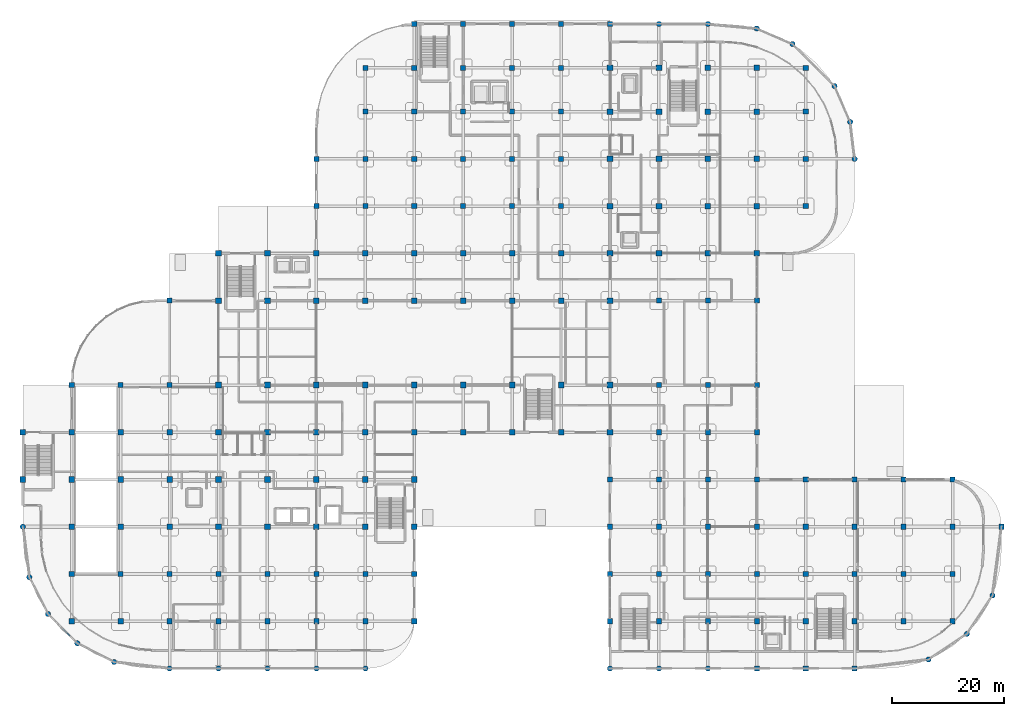
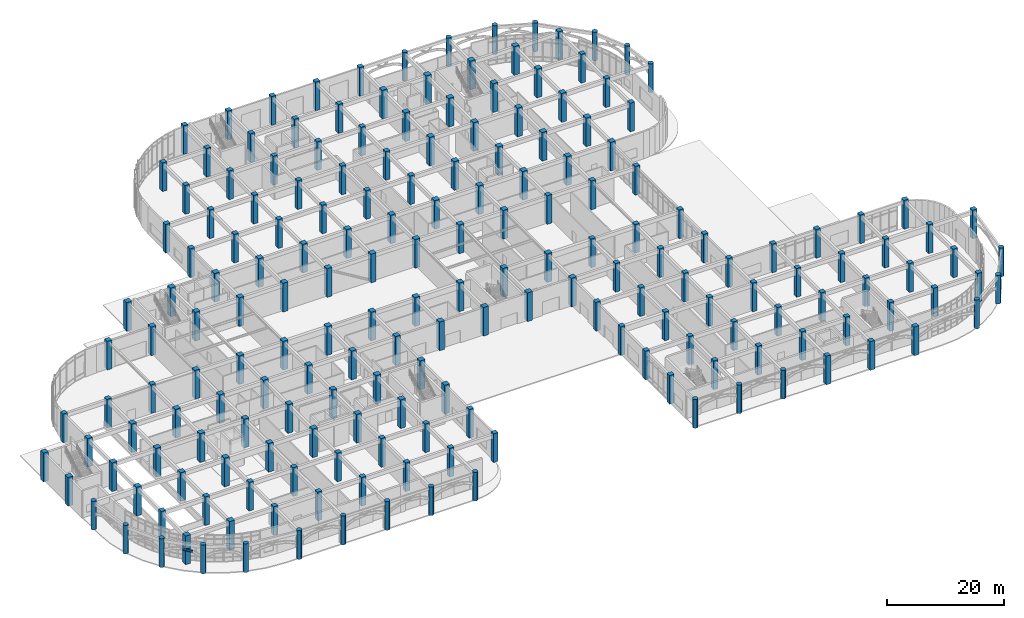
# One storey, part 1 of 82: 195 columns, 1 beam.
"""IFC4 building model written with IfcOpenShell, lengths in metres."""

from ifc_helpers import new_model, si_unit, derived_unit, direction, frame, origin, origin_2d, place, context, subcontext, project, spatial, rectangle, circle, i_section, extrude, material, material_profile, profile_set, type_object, element, save


model = new_model("IFC4")

# Units and contexts
model_context = context("Model", 3, precision=1e-05, world=origin(), true_north=direction((0.0, 1.0)))
body_context = subcontext(model_context, "Body", "Model", "MODEL_VIEW")
ifc_project = project(units=[si_unit("LENGTHUNIT", "METRE"), si_unit("AREAUNIT", "SQUARE_METRE"), si_unit("VOLUMEUNIT", "CUBIC_METRE"), si_unit("PLANEANGLEUNIT", "RADIAN"), si_unit("MASSUNIT", "GRAM", prefix="KILO"), derived_unit("THERMALTRANSMITTANCEUNIT", [(si_unit("MASSUNIT", "GRAM", prefix="KILO"), 1), (si_unit("TIMEUNIT", "SECOND"), -3), (si_unit("THERMODYNAMICTEMPERATUREUNIT", "KELVIN"), -1)])], contexts=[model_context])

# Site, building, storey
site_placement = place(None, origin())
site = spatial("IfcSite", under=ifc_project, at=site_placement, CompositionType="ELEMENT")
building_placement = place(site_placement, origin())
building = spatial("IfcBuilding", under=site, at=building_placement, Name="Qinzheling Arcade Emporium", CompositionType="ELEMENT")
storey_placement = place(building_placement, origin())
storey = spatial("IfcBuildingStorey", under=building, at=storey_placement, Name="L01", CompositionType="ELEMENT", Elevation=0.0)

# Columns
ifc_material_1 = material(Name="Concrete C50", Category="concrete")
ifc_material_profile_1 = material_profile(ifc_material_1, circle(Radius=0.47509765625, at=origin_2d()), Name="RC D950", Category="concrete")
ifc_profile_set_1 = profile_set([ifc_material_profile_1], Name="Concrete C50")
column_type_1 = type_object("IfcColumnType", Name="Arcade Pier Column D950 C50", PredefinedType="PILASTER", material=ifc_profile_set_1)
for number, where, z_axis, x_axis, name in (
    (1, (0.0, 25.199951171875, 0.0), (0.0, 0.0, 1.0), (1.0, 0.0, 0.0), "Column COL-L01-1-D"),
    (2, (26.10009765625, 0.0, 0.0), (0.0, 0.0, 1.0), (1.0, 0.0, 0.0), "Column COL-L01-4-A"),
    (3, (34.800048828125, 0.0, 0.0), (0.0, 0.0, 1.0), (1.0, 0.0, 0.0), "Column COL-L01-5-A"),
    (4, (43.5, 0.0, 0.0), (0.0, 0.0, 1.0), (1.0, 0.0, 0.0), "Column COL-L01-6-A"),
    (5, (52.199951171875, 0.0, 0.0), (0.0, 0.0, 1.0), (1.0, 0.0, 0.0), "Column COL-L01-7-A"),
    (6, (60.89990234375, 0.0, 0.0), (0.0, 0.0, 1.0), (1.0, 0.0, 0.0), "Column COL-L01-8-A"),
    (7, (104.39990234375, 0.0, 0.0), (0.0, 0.0, 1.0), (1.0, 0.0, 0.0), "Column COL-L01-13-A"),
    (8, (113.10009765625, 0.0, 0.0), (0.0, 0.0, 1.0), (1.0, 0.0, 0.0), "Column COL-L01-14-A"),
    (9, (113.10009765625, 114.60009765625, 0.0), (0.0, 0.0, 1.0), (1.0, 0.0, 0.0), "Column COL-L01-14-P"),
    (10, (121.800048828125, 0.0, 0.0), (0.0, 0.0, 1.0), (1.0, 0.0, 0.0), "Column COL-L01-15-A"),
    (11, (121.800048828125, 114.60009765625, 0.0), (0.0, 0.0, 1.0), (1.0, 0.0, 0.0), "Column COL-L01-15-P"),
    (12, (147.89990234375, 90.60009765625, 0.0), (0.0, 0.0, 1.0), (1.0, 0.0, 0.0), "Column COL-L01-18-L"),
    (13, (1.14990234375, 16.238037109375, 0.0), (0.0, 0.0, 1.0), (1.0, 0.0, 0.0), "Curved Arcade Pier COL-L01-CV1-P01"),
    (14, (4.488037109375, 9.68701171875, 0.0), (0.0, 0.0, 1.0), (1.0, 0.0, 0.0), "Curved Arcade Pier COL-L01-CV1-P02"),
    (15, (9.68701171875, 4.488037109375, 0.0), (0.0, 0.0, 1.0), (1.0, 0.0, 0.0), "Curved Arcade Pier COL-L01-CV1-P03"),
    (16, (16.238037109375, 1.14990234375, 0.0), (0.0, 0.0, 1.0), (1.0, 0.0, 0.0), "Curved Arcade Pier COL-L01-CV1-P04"),
    (17, (161.035888671875, 1.59912109375, 0.0), (0.0, 0.0, 1.0), (1.0, 0.0, 0.0), "Curved Arcade Pier COL-L01-CV4-P01"),
    (18, (167.84912109375, 6.15087890625, 0.0), (0.0, 0.0, 1.0), (1.0, 0.0, 0.0), "Curved Arcade Pier COL-L01-CV4-P02"),
    (19, (172.40087890625, 12.964111328125, 0.0), (0.0, 0.0, 1.0), (1.0, 0.0, 0.0), "Curved Arcade Pier COL-L01-CV4-P03"),
    (20, (147.09912109375, 97.181884765625, 0.0), (0.0, 0.0, 1.0), (1.0, 0.0, 0.0), "Curved Arcade Pier COL-L01-CV6-P01"),
    (21, (144.3291015625, 103.552978515625, 0.0), (0.0, 0.0, 1.0), (1.0, 0.0, 0.0), "Curved Arcade Pier COL-L01-CV6-P02"),
    (22, (136.85302734375, 111.029052734375, 0.0), (0.0, 0.0, 1.0), (1.0, 0.0, 0.0), "Curved Arcade Pier COL-L01-CV6-P03"),
    (23, (130.48193359375, 113.799072265625, 0.0), (0.0, 0.0, 1.0), (1.0, 0.0, 0.0), "Curved Arcade Pier COL-L01-CV6-P04"),
):
    element("IfcColumn", number, at=place(storey_placement, frame(where, z_axis=z_axis, x_axis=x_axis)), inside=storey, type_object=column_type_1, Name=name, PredefinedType="PILASTER", context=body_context, shape_type="SweptSolid", body=[
        extrude(circle(Radius=0.47509765625, at=origin_2d()), origin(), (0.0, 0.0, 1.0), 6.0),
    ])
ifc_material_profile_2 = material_profile(ifc_material_1, rectangle(XDim=1.0, YDim=1.0, at=origin_2d()), Name="RC 1000x1000", Category="concrete")
ifc_profile_set_2 = profile_set([ifc_material_profile_2], Name="Concrete C50")
column_type_2 = type_object("IfcColumnType", Name="RC Column 1000x1000 C50", PredefinedType="COLUMN", material=ifc_profile_set_2)
for number, where, z_axis, x_axis, name in (
    (24, (0.0, 33.60009765625, 0.0), (0.0, 0.0, 1.0), (1.0, 0.0, 0.0), "Column COL-L01-1-E"),
    (25, (0.0, 42.0, 0.0), (0.0, 0.0, 1.0), (1.0, 0.0, 0.0), "Column COL-L01-1-F"),
    (26, (8.699951171875, 8.39990234375, 0.0), (0.0, 0.0, 1.0), (1.0, 0.0, 0.0), "Column COL-L01-2-B"),
    (27, (8.699951171875, 25.199951171875, 0.0), (0.0, 0.0, 1.0), (1.0, 0.0, 0.0), "Column COL-L01-2-D"),
    (28, (8.699951171875, 33.60009765625, 0.0), (0.0, 0.0, 1.0), (1.0, 0.0, 0.0), "Column COL-L01-2-E"),
    (29, (8.699951171875, 42.0, 0.0), (0.0, 0.0, 1.0), (1.0, 0.0, 0.0), "Column COL-L01-2-F"),
    (30, (17.39990234375, 8.39990234375, 0.0), (0.0, 0.0, 1.0), (1.0, 0.0, 0.0), "Column COL-L01-3-B"),
    (31, (17.39990234375, 25.199951171875, 0.0), (0.0, 0.0, 1.0), (1.0, 0.0, 0.0), "Column COL-L01-3-D"),
    (32, (17.39990234375, 33.60009765625, 0.0), (0.0, 0.0, 1.0), (1.0, 0.0, 0.0), "Column COL-L01-3-E"),
    (33, (17.39990234375, 42.0, 0.0), (0.0, 0.0, 1.0), (1.0, 0.0, 0.0), "Column COL-L01-3-F"),
    (34, (26.10009765625, 25.199951171875, 0.0), (0.0, 0.0, 1.0), (1.0, 0.0, 0.0), "Column COL-L01-4-D"),
    (35, (26.10009765625, 33.60009765625, 0.0), (0.0, 0.0, 1.0), (1.0, 0.0, 0.0), "Column COL-L01-4-E"),
    (36, (26.10009765625, 42.0, 0.0), (0.0, 0.0, 1.0), (1.0, 0.0, 0.0), "Column COL-L01-4-F"),
    (37, (34.800048828125, 25.199951171875, 0.0), (0.0, 0.0, 1.0), (1.0, 0.0, 0.0), "Column COL-L01-5-D"),
    (38, (34.800048828125, 33.60009765625, 0.0), (0.0, 0.0, 1.0), (1.0, 0.0, 0.0), "Column COL-L01-5-E"),
    (39, (34.800048828125, 42.0, 0.0), (0.0, 0.0, 1.0), (1.0, 0.0, 0.0), "Column COL-L01-5-F"),
    (40, (34.800048828125, 50.39990234375, 0.0), (0.0, 0.0, 1.0), (1.0, 0.0, 0.0), "Column COL-L01-5-G"),
    (41, (34.800048828125, 65.39990234375, 0.0), (0.0, 0.0, 1.0), (1.0, 0.0, 0.0), "Column COL-L01-5-H"),
    (42, (34.800048828125, 73.800048828125, 0.0), (0.0, 0.0, 1.0), (1.0, 0.0, 0.0), "Column COL-L01-5-J"),
    (43, (43.5, 25.199951171875, 0.0), (0.0, 0.0, 1.0), (1.0, 0.0, 0.0), "Column COL-L01-6-D"),
    (44, (43.5, 33.60009765625, 0.0), (0.0, 0.0, 1.0), (1.0, 0.0, 0.0), "Column COL-L01-6-E"),
    (45, (43.5, 42.0, 0.0), (0.0, 0.0, 1.0), (1.0, 0.0, 0.0), "Column COL-L01-6-F"),
    (46, (43.5, 50.39990234375, 0.0), (0.0, 0.0, 1.0), (1.0, 0.0, 0.0), "Column COL-L01-6-G"),
    (47, (43.5, 65.39990234375, 0.0), (0.0, 0.0, 1.0), (1.0, 0.0, 0.0), "Column COL-L01-6-H"),
    (48, (43.5, 73.800048828125, 0.0), (0.0, 0.0, 1.0), (1.0, 0.0, 0.0), "Column COL-L01-6-J"),
    (49, (52.199951171875, 25.199951171875, 0.0), (0.0, 0.0, 1.0), (1.0, 0.0, 0.0), "Column COL-L01-7-D"),
    (50, (52.199951171875, 33.60009765625, 0.0), (0.0, 0.0, 1.0), (1.0, 0.0, 0.0), "Column COL-L01-7-E"),
    (51, (52.199951171875, 42.0, 0.0), (0.0, 0.0, 1.0), (1.0, 0.0, 0.0), "Column COL-L01-7-F"),
    (52, (52.199951171875, 50.39990234375, 0.0), (0.0, 0.0, 1.0), (1.0, 0.0, 0.0), "Column COL-L01-7-G"),
    (53, (52.199951171875, 65.39990234375, 0.0), (0.0, 0.0, 1.0), (1.0, 0.0, 0.0), "Column COL-L01-7-H"),
    (54, (52.199951171875, 73.800048828125, 0.0), (0.0, 0.0, 1.0), (1.0, 0.0, 0.0), "Column COL-L01-7-J"),
    (55, (60.89990234375, 25.199951171875, 0.0), (0.0, 0.0, 1.0), (1.0, 0.0, 0.0), "Column COL-L01-8-D"),
    (56, (60.89990234375, 33.60009765625, 0.0), (0.0, 0.0, 1.0), (1.0, 0.0, 0.0), "Column COL-L01-8-E"),
    (57, (60.89990234375, 42.0, 0.0), (0.0, 0.0, 1.0), (1.0, 0.0, 0.0), "Column COL-L01-8-F"),
    (58, (60.89990234375, 50.39990234375, 0.0), (0.0, 0.0, 1.0), (1.0, 0.0, 0.0), "Column COL-L01-8-G"),
    (59, (60.89990234375, 65.39990234375, 0.0), (0.0, 0.0, 1.0), (1.0, 0.0, 0.0), "Column COL-L01-8-H"),
    (60, (60.89990234375, 73.800048828125, 0.0), (0.0, 0.0, 1.0), (1.0, 0.0, 0.0), "Column COL-L01-8-J"),
    (61, (69.60009765625, 25.199951171875, 0.0), (0.0, 0.0, 1.0), (1.0, 0.0, 0.0), "Column COL-L01-9-D"),
    (62, (69.60009765625, 33.60009765625, 0.0), (0.0, 0.0, 1.0), (1.0, 0.0, 0.0), "Column COL-L01-9-E"),
    (63, (69.60009765625, 42.0, 0.0), (0.0, 0.0, 1.0), (1.0, 0.0, 0.0), "Column COL-L01-9-F"),
    (64, (69.60009765625, 50.39990234375, 0.0), (0.0, 0.0, 1.0), (1.0, 0.0, 0.0), "Column COL-L01-9-G"),
    (65, (69.60009765625, 65.39990234375, 0.0), (0.0, 0.0, 1.0), (1.0, 0.0, 0.0), "Column COL-L01-9-H"),
    (66, (69.60009765625, 73.800048828125, 0.0), (0.0, 0.0, 1.0), (1.0, 0.0, 0.0), "Column COL-L01-9-J"),
    (67, (78.300048828125, 42.0, 0.0), (0.0, 0.0, 1.0), (1.0, 0.0, 0.0), "Column COL-L01-10-F"),
    (68, (78.300048828125, 50.39990234375, 0.0), (0.0, 0.0, 1.0), (1.0, 0.0, 0.0), "Column COL-L01-10-G"),
    (69, (78.300048828125, 65.39990234375, 0.0), (0.0, 0.0, 1.0), (1.0, 0.0, 0.0), "Column COL-L01-10-H"),
    (70, (78.300048828125, 73.800048828125, 0.0), (0.0, 0.0, 1.0), (1.0, 0.0, 0.0), "Column COL-L01-10-J"),
    (71, (87.0, 42.0, 0.0), (0.0, 0.0, 1.0), (1.0, 0.0, 0.0), "Column COL-L01-11-F"),
    (72, (87.0, 50.39990234375, 0.0), (0.0, 0.0, 1.0), (1.0, 0.0, 0.0), "Column COL-L01-11-G"),
    (73, (87.0, 65.39990234375, 0.0), (0.0, 0.0, 1.0), (1.0, 0.0, 0.0), "Column COL-L01-11-H"),
    (74, (87.0, 73.800048828125, 0.0), (0.0, 0.0, 1.0), (1.0, 0.0, 0.0), "Column COL-L01-11-J"),
    (75, (95.699951171875, 42.0, 0.0), (0.0, 0.0, 1.0), (1.0, 0.0, 0.0), "Column COL-L01-12-F"),
    (76, (95.699951171875, 50.39990234375, 0.0), (0.0, 0.0, 1.0), (1.0, 0.0, 0.0), "Column COL-L01-12-G"),
    (77, (95.699951171875, 65.39990234375, 0.0), (0.0, 0.0, 1.0), (1.0, 0.0, 0.0), "Column COL-L01-12-H"),
    (78, (95.699951171875, 73.800048828125, 0.0), (0.0, 0.0, 1.0), (1.0, 0.0, 0.0), "Column COL-L01-12-J"),
    (79, (104.39990234375, 42.0, 0.0), (0.0, 0.0, 1.0), (1.0, 0.0, 0.0), "Column COL-L01-13-F"),
    (80, (104.39990234375, 50.39990234375, 0.0), (0.0, 0.0, 1.0), (1.0, 0.0, 0.0), "Column COL-L01-13-G"),
    (81, (104.39990234375, 65.39990234375, 0.0), (0.0, 0.0, 1.0), (1.0, 0.0, 0.0), "Column COL-L01-13-H"),
    (82, (104.39990234375, 73.800048828125, 0.0), (0.0, 0.0, 1.0), (1.0, 0.0, 0.0), "Column COL-L01-13-J"),
    (83, (104.39990234375, 82.199951171875, 0.0), (0.0, 0.0, 1.0), (1.0, 0.0, 0.0), "Column COL-L01-13-K"),
    (84, (104.39990234375, 90.60009765625, 0.0), (0.0, 0.0, 1.0), (1.0, 0.0, 0.0), "Column COL-L01-13-L"),
    (85, (104.39990234375, 99.0, 0.0), (0.0, 0.0, 1.0), (1.0, 0.0, 0.0), "Column COL-L01-13-M"),
    (86, (104.39990234375, 106.800048828125, 0.0), (0.0, 0.0, 1.0), (1.0, 0.0, 0.0), "Column COL-L01-13-N"),
    (87, (113.10009765625, 73.800048828125, 0.0), (0.0, 0.0, 1.0), (1.0, 0.0, 0.0), "Column COL-L01-14-J"),
    (88, (113.10009765625, 82.199951171875, 0.0), (0.0, 0.0, 1.0), (1.0, 0.0, 0.0), "Column COL-L01-14-K"),
    (89, (113.10009765625, 90.60009765625, 0.0), (0.0, 0.0, 1.0), (1.0, 0.0, 0.0), "Column COL-L01-14-L"),
    (90, (113.10009765625, 99.0, 0.0), (0.0, 0.0, 1.0), (1.0, 0.0, 0.0), "Column COL-L01-14-M"),
    (91, (113.10009765625, 106.800048828125, 0.0), (0.0, 0.0, 1.0), (1.0, 0.0, 0.0), "Column COL-L01-14-N"),
    (92, (121.800048828125, 73.800048828125, 0.0), (0.0, 0.0, 1.0), (1.0, 0.0, 0.0), "Column COL-L01-15-J"),
    (93, (121.800048828125, 82.199951171875, 0.0), (0.0, 0.0, 1.0), (1.0, 0.0, 0.0), "Column COL-L01-15-K"),
    (94, (121.800048828125, 90.60009765625, 0.0), (0.0, 0.0, 1.0), (1.0, 0.0, 0.0), "Column COL-L01-15-L"),
    (95, (121.800048828125, 99.0, 0.0), (0.0, 0.0, 1.0), (1.0, 0.0, 0.0), "Column COL-L01-15-M"),
    (96, (121.800048828125, 106.800048828125, 0.0), (0.0, 0.0, 1.0), (1.0, 0.0, 0.0), "Column COL-L01-15-N"),
    (97, (130.5, 73.800048828125, 0.0), (0.0, 0.0, 1.0), (1.0, 0.0, 0.0), "Column COL-L01-16-J"),
    (98, (130.5, 82.199951171875, 0.0), (0.0, 0.0, 1.0), (1.0, 0.0, 0.0), "Column COL-L01-16-K"),
    (99, (130.5, 90.60009765625, 0.0), (0.0, 0.0, 1.0), (1.0, 0.0, 0.0), "Column COL-L01-16-L"),
    (100, (130.5, 99.0, 0.0), (0.0, 0.0, 1.0), (1.0, 0.0, 0.0), "Column COL-L01-16-M"),
    (101, (130.5, 106.800048828125, 0.0), (0.0, 0.0, 1.0), (1.0, 0.0, 0.0), "Column COL-L01-16-N"),
):
    element("IfcColumn", number, at=place(storey_placement, frame(where, z_axis=z_axis, x_axis=x_axis)), inside=storey, type_object=column_type_2, Name=name, PredefinedType="COLUMN", context=body_context, shape_type="SweptSolid", body=[
        extrude(rectangle(XDim=1.0, YDim=1.0, at=origin_2d()), origin(), (0.0, 0.0, 1.0), 6.0),
    ])
ifc_material_profile_3 = material_profile(ifc_material_1, rectangle(XDim=0.89990234375, YDim=0.89990234375, at=origin_2d()), Name="RC 900x900", Category="concrete")
ifc_profile_set_3 = profile_set([ifc_material_profile_3], Name="Concrete C50")
column_type_3 = type_object("IfcColumnType", Name="RC Column 900x900 C50", PredefinedType="COLUMN", material=ifc_profile_set_3)
for number, where, z_axis, x_axis, name in (
    (102, (8.699951171875, 16.800048828125, 0.0), (0.0, 0.0, 1.0), (1.0, 0.0, 0.0), "Column COL-L01-2-C"),
    (103, (8.699951171875, 50.39990234375, 0.0), (0.0, 0.0, 1.0), (1.0, 0.0, 0.0), "Column COL-L01-2-G"),
    (104, (17.39990234375, 16.800048828125, 0.0), (0.0, 0.0, 1.0), (1.0, 0.0, 0.0), "Column COL-L01-3-C"),
    (105, (17.39990234375, 50.39990234375, 0.0), (0.0, 0.0, 1.0), (1.0, 0.0, 0.0), "Column COL-L01-3-G"),
    (106, (26.10009765625, 8.39990234375, 0.0), (0.0, 0.0, 1.0), (1.0, 0.0, 0.0), "Column COL-L01-4-B"),
    (107, (26.10009765625, 16.800048828125, 0.0), (0.0, 0.0, 1.0), (1.0, 0.0, 0.0), "Column COL-L01-4-C"),
    (108, (26.10009765625, 50.39990234375, 0.0), (0.0, 0.0, 1.0), (1.0, 0.0, 0.0), "Column COL-L01-4-G"),
    (109, (26.10009765625, 65.39990234375, 0.0), (0.0, 0.0, 1.0), (1.0, 0.0, 0.0), "Column COL-L01-4-H"),
    (110, (34.800048828125, 8.39990234375, 0.0), (0.0, 0.0, 1.0), (1.0, 0.0, 0.0), "Column COL-L01-5-B"),
    (111, (34.800048828125, 16.800048828125, 0.0), (0.0, 0.0, 1.0), (1.0, 0.0, 0.0), "Column COL-L01-5-C"),
    (112, (43.5, 8.39990234375, 0.0), (0.0, 0.0, 1.0), (1.0, 0.0, 0.0), "Column COL-L01-6-B"),
    (113, (43.5, 16.800048828125, 0.0), (0.0, 0.0, 1.0), (1.0, 0.0, 0.0), "Column COL-L01-6-C"),
    (114, (52.199951171875, 8.39990234375, 0.0), (0.0, 0.0, 1.0), (1.0, 0.0, 0.0), "Column COL-L01-7-B"),
    (115, (52.199951171875, 16.800048828125, 0.0), (0.0, 0.0, 1.0), (1.0, 0.0, 0.0), "Column COL-L01-7-C"),
    (116, (52.199951171875, 82.199951171875, 0.0), (0.0, 0.0, 1.0), (1.0, 0.0, 0.0), "Column COL-L01-7-K"),
    (117, (52.199951171875, 90.60009765625, 0.0), (0.0, 0.0, 1.0), (1.0, 0.0, 0.0), "Column COL-L01-7-L"),
    (118, (60.89990234375, 8.39990234375, 0.0), (0.0, 0.0, 1.0), (1.0, 0.0, 0.0), "Column COL-L01-8-B"),
    (119, (60.89990234375, 16.800048828125, 0.0), (0.0, 0.0, 1.0), (1.0, 0.0, 0.0), "Column COL-L01-8-C"),
    (120, (60.89990234375, 82.199951171875, 0.0), (0.0, 0.0, 1.0), (1.0, 0.0, 0.0), "Column COL-L01-8-K"),
    (121, (60.89990234375, 90.60009765625, 0.0), (0.0, 0.0, 1.0), (1.0, 0.0, 0.0), "Column COL-L01-8-L"),
    (122, (60.89990234375, 99.0, 0.0), (0.0, 0.0, 1.0), (1.0, 0.0, 0.0), "Column COL-L01-8-M"),
    (123, (60.89990234375, 106.800048828125, 0.0), (0.0, 0.0, 1.0), (1.0, 0.0, 0.0), "Column COL-L01-8-N"),
    (124, (69.60009765625, 8.39990234375, 0.0), (0.0, 0.0, 1.0), (1.0, 0.0, 0.0), "Column COL-L01-9-B"),
    (125, (69.60009765625, 16.800048828125, 0.0), (0.0, 0.0, 1.0), (1.0, 0.0, 0.0), "Column COL-L01-9-C"),
    (126, (69.60009765625, 82.199951171875, 0.0), (0.0, 0.0, 1.0), (1.0, 0.0, 0.0), "Column COL-L01-9-K"),
    (127, (69.60009765625, 90.60009765625, 0.0), (0.0, 0.0, 1.0), (1.0, 0.0, 0.0), "Column COL-L01-9-L"),
    (128, (69.60009765625, 99.0, 0.0), (0.0, 0.0, 1.0), (1.0, 0.0, 0.0), "Column COL-L01-9-M"),
    (129, (69.60009765625, 106.800048828125, 0.0), (0.0, 0.0, 1.0), (1.0, 0.0, 0.0), "Column COL-L01-9-N"),
    (130, (69.60009765625, 114.60009765625, 0.0), (0.0, 0.0, 1.0), (1.0, 0.0, 0.0), "Column COL-L01-9-P"),
    (131, (78.300048828125, 82.199951171875, 0.0), (0.0, 0.0, 1.0), (1.0, 0.0, 0.0), "Column COL-L01-10-K"),
    (132, (78.300048828125, 90.60009765625, 0.0), (0.0, 0.0, 1.0), (1.0, 0.0, 0.0), "Column COL-L01-10-L"),
    (133, (78.300048828125, 99.0, 0.0), (0.0, 0.0, 1.0), (1.0, 0.0, 0.0), "Column COL-L01-10-M"),
    (134, (78.300048828125, 106.800048828125, 0.0), (0.0, 0.0, 1.0), (1.0, 0.0, 0.0), "Column COL-L01-10-N"),
    (135, (78.300048828125, 114.60009765625, 0.0), (0.0, 0.0, 1.0), (1.0, 0.0, 0.0), "Column COL-L01-10-P"),
    (136, (87.0, 82.199951171875, 0.0), (0.0, 0.0, 1.0), (1.0, 0.0, 0.0), "Column COL-L01-11-K"),
    (137, (87.0, 90.60009765625, 0.0), (0.0, 0.0, 1.0), (1.0, 0.0, 0.0), "Column COL-L01-11-L"),
    (138, (87.0, 99.0, 0.0), (0.0, 0.0, 1.0), (1.0, 0.0, 0.0), "Column COL-L01-11-M"),
    (139, (87.0, 106.800048828125, 0.0), (0.0, 0.0, 1.0), (1.0, 0.0, 0.0), "Column COL-L01-11-N"),
    (140, (87.0, 114.60009765625, 0.0), (0.0, 0.0, 1.0), (1.0, 0.0, 0.0), "Column COL-L01-11-P"),
    (141, (95.699951171875, 82.199951171875, 0.0), (0.0, 0.0, 1.0), (1.0, 0.0, 0.0), "Column COL-L01-12-K"),
    (142, (95.699951171875, 90.60009765625, 0.0), (0.0, 0.0, 1.0), (1.0, 0.0, 0.0), "Column COL-L01-12-L"),
    (143, (95.699951171875, 99.0, 0.0), (0.0, 0.0, 1.0), (1.0, 0.0, 0.0), "Column COL-L01-12-M"),
    (144, (95.699951171875, 106.800048828125, 0.0), (0.0, 0.0, 1.0), (1.0, 0.0, 0.0), "Column COL-L01-12-N"),
    (145, (95.699951171875, 114.60009765625, 0.0), (0.0, 0.0, 1.0), (1.0, 0.0, 0.0), "Column COL-L01-12-P"),
    (146, (104.39990234375, 8.39990234375, 0.0), (0.0, 0.0, 1.0), (1.0, 0.0, 0.0), "Column COL-L01-13-B"),
    (147, (104.39990234375, 16.800048828125, 0.0), (0.0, 0.0, 1.0), (1.0, 0.0, 0.0), "Column COL-L01-13-C"),
    (148, (104.39990234375, 25.199951171875, 0.0), (0.0, 0.0, 1.0), (1.0, 0.0, 0.0), "Column COL-L01-13-D"),
    (149, (104.39990234375, 33.60009765625, 0.0), (0.0, 0.0, 1.0), (1.0, 0.0, 0.0), "Column COL-L01-13-E"),
    (150, (104.39990234375, 114.60009765625, 0.0), (0.0, 0.0, 1.0), (1.0, 0.0, 0.0), "Column COL-L01-13-P"),
    (151, (113.10009765625, 8.39990234375, 0.0), (0.0, 0.0, 1.0), (1.0, 0.0, 0.0), "Column COL-L01-14-B"),
    (152, (113.10009765625, 16.800048828125, 0.0), (0.0, 0.0, 1.0), (1.0, 0.0, 0.0), "Column COL-L01-14-C"),
    (153, (113.10009765625, 25.199951171875, 0.0), (0.0, 0.0, 1.0), (1.0, 0.0, 0.0), "Column COL-L01-14-D"),
    (154, (113.10009765625, 33.60009765625, 0.0), (0.0, 0.0, 1.0), (1.0, 0.0, 0.0), "Column COL-L01-14-E"),
    (155, (113.10009765625, 42.0, 0.0), (0.0, 0.0, 1.0), (1.0, 0.0, 0.0), "Column COL-L01-14-F"),
    (156, (113.10009765625, 50.39990234375, 0.0), (0.0, 0.0, 1.0), (1.0, 0.0, 0.0), "Column COL-L01-14-G"),
    (157, (113.10009765625, 65.39990234375, 0.0), (0.0, 0.0, 1.0), (1.0, 0.0, 0.0), "Column COL-L01-14-H"),
    (158, (121.800048828125, 8.39990234375, 0.0), (0.0, 0.0, 1.0), (1.0, 0.0, 0.0), "Column COL-L01-15-B"),
    (159, (121.800048828125, 16.800048828125, 0.0), (0.0, 0.0, 1.0), (1.0, 0.0, 0.0), "Column COL-L01-15-C"),
    (160, (121.800048828125, 25.199951171875, 0.0), (0.0, 0.0, 1.0), (1.0, 0.0, 0.0), "Column COL-L01-15-D"),
    (161, (121.800048828125, 33.60009765625, 0.0), (0.0, 0.0, 1.0), (1.0, 0.0, 0.0), "Column COL-L01-15-E"),
    (162, (121.800048828125, 42.0, 0.0), (0.0, 0.0, 1.0), (1.0, 0.0, 0.0), "Column COL-L01-15-F"),
    (163, (121.800048828125, 50.39990234375, 0.0), (0.0, 0.0, 1.0), (1.0, 0.0, 0.0), "Column COL-L01-15-G"),
    (164, (121.800048828125, 65.39990234375, 0.0), (0.0, 0.0, 1.0), (1.0, 0.0, 0.0), "Column COL-L01-15-H"),
    (165, (130.5, 0.0, 0.0), (0.0, 0.0, 1.0), (1.0, 0.0, 0.0), "Column COL-L01-16-A"),
    (166, (130.5, 8.39990234375, 0.0), (0.0, 0.0, 1.0), (1.0, 0.0, 0.0), "Column COL-L01-16-B"),
    (167, (130.5, 16.800048828125, 0.0), (0.0, 0.0, 1.0), (1.0, 0.0, 0.0), "Column COL-L01-16-C"),
    (168, (130.5, 25.199951171875, 0.0), (0.0, 0.0, 1.0), (1.0, 0.0, 0.0), "Column COL-L01-16-D"),
    (169, (130.5, 33.60009765625, 0.0), (0.0, 0.0, 1.0), (1.0, 0.0, 0.0), "Column COL-L01-16-E"),
    (170, (130.5, 42.0, 0.0), (0.0, 0.0, 1.0), (1.0, 0.0, 0.0), "Column COL-L01-16-F"),
    (171, (130.5, 50.39990234375, 0.0), (0.0, 0.0, 1.0), (1.0, 0.0, 0.0), "Column COL-L01-16-G"),
    (172, (130.5, 65.39990234375, 0.0), (0.0, 0.0, 1.0), (1.0, 0.0, 0.0), "Column COL-L01-16-H"),
    (173, (139.199951171875, 0.0, 0.0), (0.0, 0.0, 1.0), (1.0, 0.0, 0.0), "Column COL-L01-17-A"),
    (174, (139.199951171875, 8.39990234375, 0.0), (0.0, 0.0, 1.0), (1.0, 0.0, 0.0), "Column COL-L01-17-B"),
    (175, (139.199951171875, 16.800048828125, 0.0), (0.0, 0.0, 1.0), (1.0, 0.0, 0.0), "Column COL-L01-17-C"),
    (176, (139.199951171875, 25.199951171875, 0.0), (0.0, 0.0, 1.0), (1.0, 0.0, 0.0), "Column COL-L01-17-D"),
    (177, (139.199951171875, 33.60009765625, 0.0), (0.0, 0.0, 1.0), (1.0, 0.0, 0.0), "Column COL-L01-17-E"),
    (178, (139.199951171875, 82.199951171875, 0.0), (0.0, 0.0, 1.0), (1.0, 0.0, 0.0), "Column COL-L01-17-K"),
    (179, (139.199951171875, 90.60009765625, 0.0), (0.0, 0.0, 1.0), (1.0, 0.0, 0.0), "Column COL-L01-17-L"),
    (180, (139.199951171875, 99.0, 0.0), (0.0, 0.0, 1.0), (1.0, 0.0, 0.0), "Column COL-L01-17-M"),
    (181, (139.199951171875, 106.800048828125, 0.0), (0.0, 0.0, 1.0), (1.0, 0.0, 0.0), "Column COL-L01-17-N"),
    (182, (147.89990234375, 0.0, 0.0), (0.0, 0.0, 1.0), (1.0, 0.0, 0.0), "Column COL-L01-18-A"),
    (183, (147.89990234375, 8.39990234375, 0.0), (0.0, 0.0, 1.0), (1.0, 0.0, 0.0), "Column COL-L01-18-B"),
    (184, (147.89990234375, 16.800048828125, 0.0), (0.0, 0.0, 1.0), (1.0, 0.0, 0.0), "Column COL-L01-18-C"),
    (185, (147.89990234375, 25.199951171875, 0.0), (0.0, 0.0, 1.0), (1.0, 0.0, 0.0), "Column COL-L01-18-D"),
    (186, (147.89990234375, 33.60009765625, 0.0), (0.0, 0.0, 1.0), (1.0, 0.0, 0.0), "Column COL-L01-18-E"),
    (187, (156.60009765625, 8.39990234375, 0.0), (0.0, 0.0, 1.0), (1.0, 0.0, 0.0), "Column COL-L01-19-B"),
    (188, (156.60009765625, 16.800048828125, 0.0), (0.0, 0.0, 1.0), (1.0, 0.0, 0.0), "Column COL-L01-19-C"),
    (189, (156.60009765625, 25.199951171875, 0.0), (0.0, 0.0, 1.0), (1.0, 0.0, 0.0), "Column COL-L01-19-D"),
    (190, (156.60009765625, 33.60009765625, 0.0), (0.0, 0.0, 1.0), (1.0, 0.0, 0.0), "Column COL-L01-19-E"),
    (191, (165.300048828125, 8.39990234375, 0.0), (0.0, 0.0, 1.0), (1.0, 0.0, 0.0), "Column COL-L01-20-B"),
    (192, (165.300048828125, 16.800048828125, 0.0), (0.0, 0.0, 1.0), (1.0, 0.0, 0.0), "Column COL-L01-20-C"),
    (193, (165.300048828125, 25.199951171875, 0.0), (0.0, 0.0, 1.0), (1.0, 0.0, 0.0), "Column COL-L01-20-D"),
    (194, (165.300048828125, 33.60009765625, 0.0), (0.0, 0.0, 1.0), (1.0, 0.0, 0.0), "Column COL-L01-20-E"),
    (195, (174.0, 25.199951171875, 0.0), (0.0, 0.0, 1.0), (1.0, 0.0, 0.0), "Column COL-L01-21-D"),
):
    element("IfcColumn", number, at=place(storey_placement, frame(where, z_axis=z_axis, x_axis=x_axis)), inside=storey, type_object=column_type_3, Name=name, PredefinedType="COLUMN", context=body_context, shape_type="SweptSolid", body=[
        extrude(rectangle(XDim=0.89990234375, YDim=0.89990234375, at=origin_2d()), origin(), (0.0, 0.0, 1.0), 6.0),
    ])

# Beam
ifc_material_2 = material(Name="Weathering steel Q355NH", Category="steel")
ifc_material_profile_4 = material_profile(ifc_material_2, i_section(OverallWidth=0.199951171875, OverallDepth=0.5, WebThickness=0.010009765625, FlangeThickness=0.01611328125, FilletRadius=0.01806640625, at=origin_2d()), Name="HN 500x200x10x16", Category="steel")
ifc_profile_set_4 = profile_set([ifc_material_profile_4], Name="Weathering steel Q355NH")
beam_type = type_object("IfcBeamType", Name="Arcade End Arch Rib HN500 Q355NH", PredefinedType="BEAM", material=ifc_profile_set_4)
beam_placement = place(storey_placement, frame((7.087890625, 7.087890625, 4.300048828125), z_axis=(0.700701780169, -0.701096838493, -0.132212852338), x_axis=(0.707306031665, 0.706907474547, 0.0)))
element("IfcBeam", 196, at=beam_placement, inside=storey, type_object=beam_type, Name="Curved Arcade Entrance Arch ARC-L01-CV1-B03-C04", PredefinedType="BEAM", context=body_context, shape_type="SweptSolid", body=[
    extrude(i_section(OverallWidth=0.199951171875, OverallDepth=0.5, WebThickness=0.010009765625, FlangeThickness=0.01611328125, FilletRadius=0.01806640625, at=origin_2d()), origin(), (0.0, 0.0, 1.0), 1.85400390625),
])

save(model, "model.ifc")
